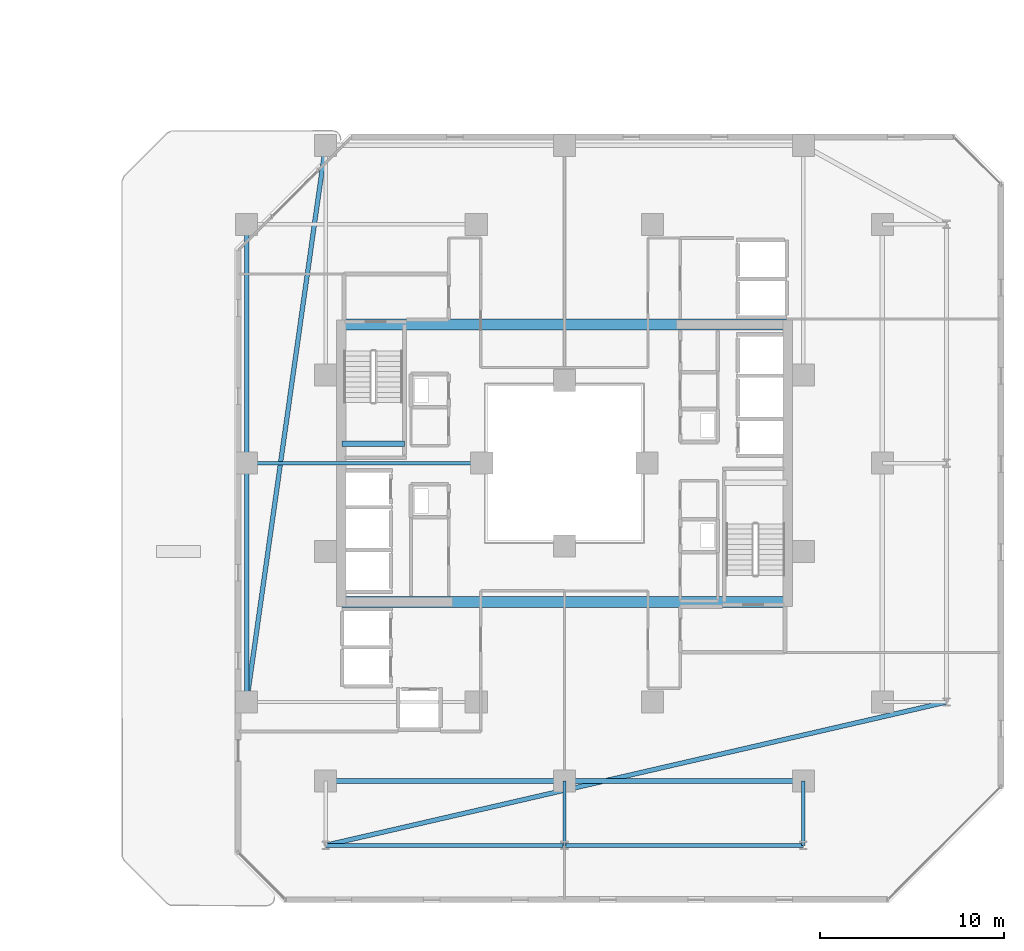
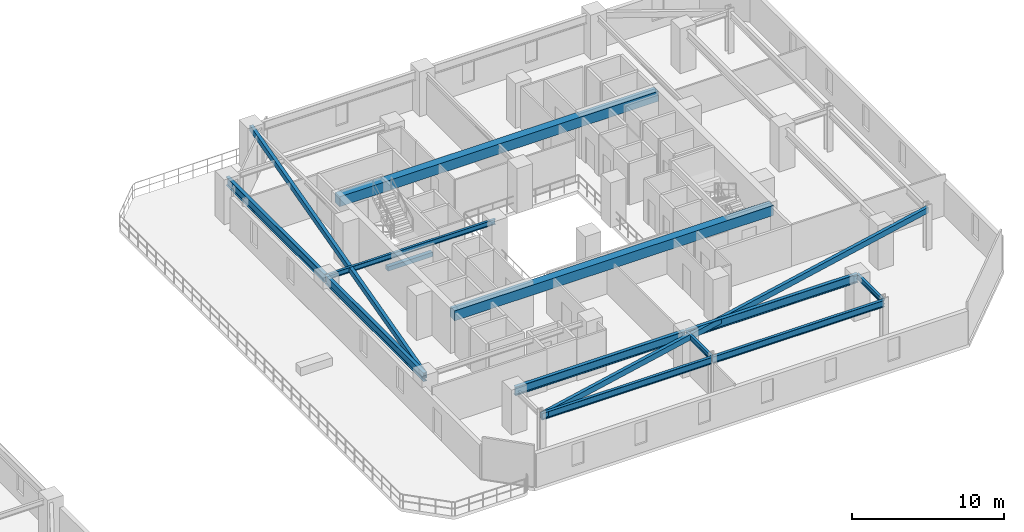
# One storey, part 11 of 31: 14 beams.
"""IFC4 building model written with IfcOpenShell, lengths in metres."""

from ifc_helpers import new_model, si_unit, direction, frame, origin, origin_2d, place, context, subcontext, project, spatial, rectangle, hollow_rectangle, i_section, extrude, material, material_profile, profile_set, type_object, element, save


model = new_model("IFC4")

# Units and contexts
model_context = context("Model", 3, precision=1e-05, world=origin(), true_north=direction((0.0, 1.0)))
body_context = subcontext(model_context, "Body", "Model", "MODEL_VIEW")
ifc_project = project(units=[si_unit("LENGTHUNIT", "METRE"), si_unit("AREAUNIT", "SQUARE_METRE"), si_unit("VOLUMEUNIT", "CUBIC_METRE"), si_unit("PLANEANGLEUNIT", "RADIAN"), si_unit("MASSUNIT", "GRAM", prefix="KILO")], contexts=[model_context])

# Site, building, storey
site_placement = place(None, origin())
site = spatial("IfcSite", under=ifc_project, at=site_placement, CompositionType="ELEMENT")
building_placement = place(site_placement, origin())
building = spatial("IfcBuilding", under=site, at=building_placement, Name="Thornwick Lancets Civic Towers", CompositionType="ELEMENT")
storey_placement = place(building_placement, frame((0.0, 0.0, 119.699951171875)))
storey = spatial("IfcBuildingStorey", under=building, at=storey_placement, Name="L31", CompositionType="ELEMENT", Elevation=119.699951171875)

# Beams
ifc_material_1 = material(Name="Concrete C60/75", Category="concrete")
ifc_material_profile_1 = material_profile(ifc_material_1, rectangle(XDim=0.60009765625, YDim=0.800048828125, at=origin_2d()), Name="RC 600x800")
ifc_profile_set_1 = profile_set([ifc_material_profile_1], Name="Concrete C60/75")
beam_type_1 = type_object("IfcBeamType", Name="BM_COUP_RC800", PredefinedType="BEAM", material=ifc_profile_set_1)
for number, where, z_axis, x_axis, name in (
    (1, (76.39990234375, 34.550048828125, 2.93994140625), (1.0, 0.0, 0.0), (0.0, 1.0, 0.0), "CB-L31-B1"),
    (2, (76.39990234375, 19.449951171875, 2.93994140625), (1.0, 0.0, 0.0), (0.0, 1.0, 0.0), "CB-L31-B2"),
):
    element("IfcBeam", number, at=place(storey_placement, frame(where, z_axis=z_axis, x_axis=x_axis)), inside=storey, type_object=beam_type_1, Name=name, PredefinedType="BEAM", context=body_context, shape_type="SweptSolid", body=[
        extrude(rectangle(XDim=0.60009765625, YDim=0.800048828125, at=origin_2d()), origin(), (0.0, 0.0, 1.0), 24.2001953125),
    ])
ifc_material_2 = material(Name="Steel S355JR", Category="steel")
ifc_material_profile_2 = material_profile(ifc_material_2, i_section(OverallWidth=0.2119140625, OverallDepth=0.54443359375, WebThickness=0.0126953125, FlangeThickness=0.021240234375, FilletRadius=0.0126953125, at=origin_2d()), Name="UKB 533x210x122")
ifc_profile_set_2 = profile_set([ifc_material_profile_2], Name="Steel S355JR")
beam_type_2 = type_object("IfcBeamType", Name="BM_EDGE_533_122", PredefinedType="SPANDREL", material=ifc_profile_set_2)
beam_1_placement = place(storey_placement, frame((101.5, 6.199951171875, 3.06787109375), z_axis=(-1.0, 0.0, 0.0), x_axis=(0.0, -1.0, 0.0)))
element("IfcBeam", 3, at=beam_1_placement, inside=storey, type_object=beam_type_2, Name="BM-EDGE-L31-B-S3-1", PredefinedType="SPANDREL", context=body_context, shape_type="SweptSolid", body=[
    extrude(i_section(OverallWidth=0.2119140625, OverallDepth=0.54443359375, WebThickness=0.0126953125, FlangeThickness=0.021240234375, FilletRadius=0.0126953125, at=origin_2d()), origin(), (0.0, 0.0, 1.0), 13.0),
])
beam_2_placement = place(storey_placement, frame((88.419921875, 6.199951171875, 3.06787109375), z_axis=(-1.0, 0.0, 0.0), x_axis=(0.0, -1.0, 0.0)))
element("IfcBeam", 4, at=beam_2_placement, inside=storey, type_object=beam_type_2, Name="BM-EDGE-L31-B-S3-2", PredefinedType="SPANDREL", context=body_context, shape_type="SweptSolid", body=[
    extrude(i_section(OverallWidth=0.2119140625, OverallDepth=0.54443359375, WebThickness=0.0126953125, FlangeThickness=0.021240234375, FilletRadius=0.0126953125, at=origin_2d()), origin(), (0.0, 0.0, 1.0), 12.919921875),
])
ifc_material_profile_3 = material_profile(ifc_material_2, i_section(OverallWidth=0.255859375, OverallDepth=0.69287109375, WebThickness=0.014404296875, FlangeThickness=0.023681640625, FilletRadius=0.01513671875, at=origin_2d()), Name="UKB 686x254x170")
ifc_profile_set_3 = profile_set([ifc_material_profile_3], Name="Steel S355JR")
beam_type_3 = type_object("IfcBeamType", Name="BM_GIRD_686_170", PredefinedType="BEAM", material=ifc_profile_set_3)
beam_3_placement = place(storey_placement, frame((71.199951171875, 14.0, 2.99365234375), z_axis=(0.0, 1.0, 0.0), x_axis=(-1.0, 0.0, 0.0)))
element("IfcBeam", 5, at=beam_3_placement, inside=storey, type_object=beam_type_3, Name="BM-SPINE-L31-B-6-7", PredefinedType="BEAM", context=body_context, shape_type="SweptSolid", body=[
    extrude(i_section(OverallWidth=0.255859375, OverallDepth=0.69287109375, WebThickness=0.014404296875, FlangeThickness=0.023681640625, FilletRadius=0.01513671875, at=origin_2d()), origin(), (0.0, 0.0, 1.0), 13.0),
])
beam_4_placement = place(storey_placement, frame((71.199951171875, 27.080078125, 2.99365234375), z_axis=(0.0, 1.0, 0.0), x_axis=(-1.0, 0.0, 0.0)))
element("IfcBeam", 6, at=beam_4_placement, inside=storey, type_object=beam_type_3, Name="BM-SPINE-L31-B-7-8", PredefinedType="BEAM", context=body_context, shape_type="SweptSolid", body=[
    extrude(i_section(OverallWidth=0.255859375, OverallDepth=0.69287109375, WebThickness=0.014404296875, FlangeThickness=0.023681640625, FilletRadius=0.01513671875, at=origin_2d()), origin(), (0.0, 0.0, 1.0), 12.919921875),
])
beam_5_placement = place(storey_placement, frame((101.5, 9.699951171875, 2.99365234375), z_axis=(-1.0, 0.0, 0.0), x_axis=(0.0, -1.0, 0.0)))
element("IfcBeam", 7, at=beam_5_placement, inside=storey, type_object=beam_type_3, Name="BM-SPINE-L31-B-9-10", PredefinedType="BEAM", context=body_context, shape_type="SweptSolid", body=[
    extrude(i_section(OverallWidth=0.255859375, OverallDepth=0.69287109375, WebThickness=0.014404296875, FlangeThickness=0.023681640625, FilletRadius=0.01513671875, at=origin_2d()), origin(), (0.0, 0.0, 1.0), 13.0),
])
beam_6_placement = place(storey_placement, frame((88.419921875, 9.699951171875, 2.99365234375), z_axis=(-1.0, 0.0, 0.0), x_axis=(0.0, -1.0, 0.0)))
element("IfcBeam", 8, at=beam_6_placement, inside=storey, type_object=beam_type_3, Name="BM-SPINE-L31-B-10-11", PredefinedType="BEAM", context=body_context, shape_type="SweptSolid", body=[
    extrude(i_section(OverallWidth=0.255859375, OverallDepth=0.69287109375, WebThickness=0.014404296875, FlangeThickness=0.023681640625, FilletRadius=0.01513671875, at=origin_2d()), origin(), (0.0, 0.0, 1.0), 12.919921875),
])
ifc_material_profile_4 = material_profile(ifc_material_2, i_section(OverallWidth=0.179443359375, OverallDepth=0.412841796875, WebThickness=0.009521484375, FlangeThickness=0.01611328125, FilletRadius=0.01025390625, at=origin_2d()), Name="UKB 406x178x74")
ifc_profile_set_4 = profile_set([ifc_material_profile_4], Name="Steel S355JR")
beam_type_4 = type_object("IfcBeamType", Name="BM_JOIST_406_74", PredefinedType="JOIST", material=ifc_profile_set_4)
beam_7_placement = place(storey_placement, frame((84.0, 27.0, 3.133544921875), z_axis=(-1.0, 0.0, 0.0), x_axis=(0.0, -1.0, 0.0)))
element("IfcBeam", 9, at=beam_7_placement, inside=storey, type_object=beam_type_4, Name="BM-RADIN-L31-B08", PredefinedType="JOIST", context=body_context, shape_type="SweptSolid", body=[
    extrude(i_section(OverallWidth=0.179443359375, OverallDepth=0.412841796875, WebThickness=0.009521484375, FlangeThickness=0.01611328125, FilletRadius=0.01025390625, at=origin_2d()), origin(), (0.0, 0.0, 1.0), 12.800048828125),
])
for number, where, z_axis, x_axis, name in (
    (10, (101.5, 9.699951171875, 3.133544921875), (0.0, -1.0, 0.0), (1.0, 0.0, 0.0), "BM-RAD-L31-B10"),
    (11, (88.5, 9.699951171875, 3.133544921875), (0.0, -1.0, 0.0), (1.0, 0.0, 0.0), "BM-RAD-L31-B11"),
):
    element("IfcBeam", number, at=place(storey_placement, frame(where, z_axis=z_axis, x_axis=x_axis)), inside=storey, type_object=beam_type_4, Name=name, PredefinedType="JOIST", context=body_context, shape_type="SweptSolid", body=[
        extrude(i_section(OverallWidth=0.179443359375, OverallDepth=0.412841796875, WebThickness=0.009521484375, FlangeThickness=0.01611328125, FilletRadius=0.01025390625, at=origin_2d()), origin(), (0.0, 0.0, 1.0), 3.5),
    ])
ifc_material_profile_5 = material_profile(ifc_material_2, hollow_rectangle(XDim=0.25, YDim=0.449951171875, WallThickness=0.01611328125, at=origin_2d()), Name="RHS 450x250x16")
ifc_profile_set_5 = profile_set([ifc_material_profile_5], Name="Steel S355JR")
beam_type_5 = type_object("IfcBeamType", Name="BM_RING_RHS450", PredefinedType="BEAM", material=ifc_profile_set_5)
beam_8_placement = place(storey_placement, frame((75.5, 44.300048828125, 3.114990234375), z_axis=(-0.140507712682, -0.990079584012, 0.0), x_axis=(0.990079584012, -0.140507712682, 0.0)))
element("IfcBeam", 12, at=beam_8_placement, inside=storey, type_object=beam_type_5, Name="BM-CHAMF-L31-B-C1", PredefinedType="BEAM", context=body_context, shape_type="SweptSolid", body=[
    extrude(hollow_rectangle(XDim=0.25, YDim=0.449951171875, WallThickness=0.01611328125, at=origin_2d()), origin(), (0.0, 0.0, 1.0), 30.603759765625),
])
beam_9_placement = place(storey_placement, frame((75.5, 6.199951171875, 3.114990234375), z_axis=(0.974390958454, 0.224860534737, 0.0), x_axis=(-0.224860534737, 0.974390958454, 0.0)))
element("IfcBeam", 13, at=beam_9_placement, inside=storey, type_object=beam_type_5, Name="BM-CHAMF-L31-B-C3", PredefinedType="BEAM", context=body_context, shape_type="SweptSolid", body=[
    extrude(hollow_rectangle(XDim=0.25, YDim=0.449951171875, WallThickness=0.01611328125, at=origin_2d()), origin(), (0.0, 0.0, 1.0), 34.6884765625),
])
ifc_material_3 = material(Name="Concrete C40/50", Category="concrete")
ifc_material_profile_6 = material_profile(ifc_material_3, rectangle(XDim=0.300048828125, YDim=0.35009765625, at=origin_2d()), Name="RC 300x350")
ifc_profile_set_6 = profile_set([ifc_material_profile_6], Name="Concrete C40/50")
beam_type_6 = type_object("IfcBeamType", Name="BM_STAIR_LDG", PredefinedType="BEAM", material=ifc_profile_set_6)
beam_10_placement = place(storey_placement, frame((76.39990234375, 28.06494140625, 1.3779296875), z_axis=(1.0, 0.0, 0.0), x_axis=(0.0, 1.0, 0.0)))
element("IfcBeam", 14, at=beam_10_placement, inside=storey, type_object=beam_type_6, Name="L31 ST-B2 Landing Support Beam 1", PredefinedType="BEAM", context=body_context, shape_type="SweptSolid", body=[
    extrude(rectangle(XDim=0.300048828125, YDim=0.35009765625, at=origin_2d()), origin(), (0.0, 0.0, 1.0), 3.400146484375),
])

save(model, "model.ifc")
